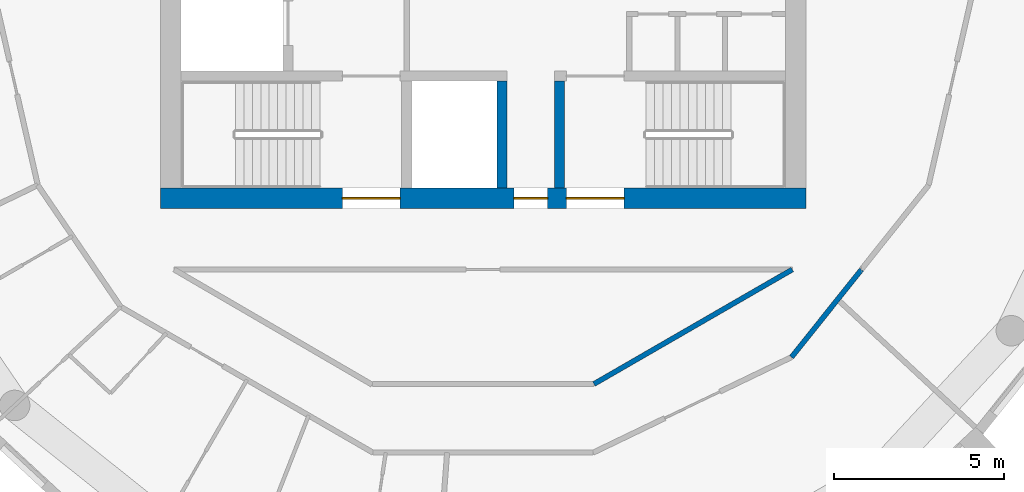
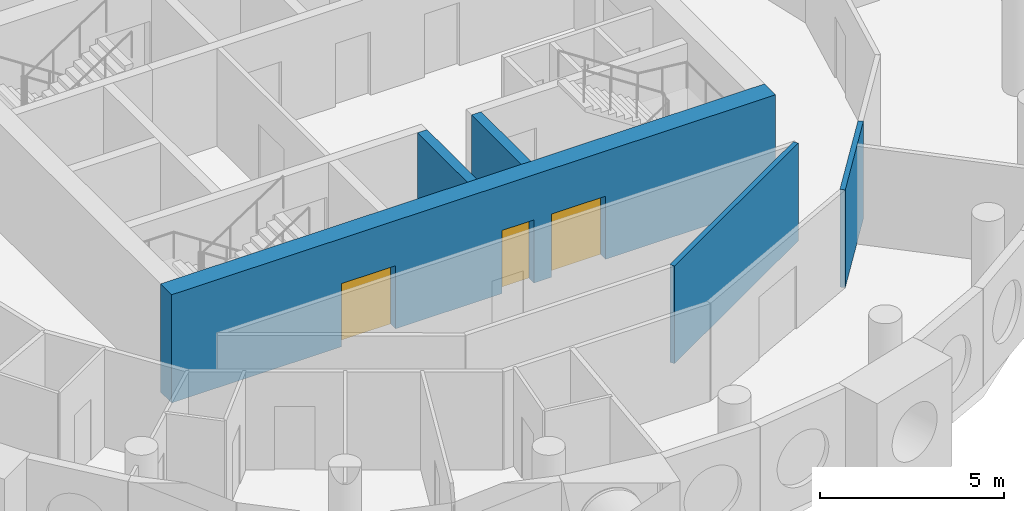
# One storey, part 3 of 12: 5 walls, 3 doors, 3 openings.
"""IFC4 building model written with IfcOpenShell, lengths in metres."""

from ifc_helpers import new_model, si_unit, direction, frame, frame_2d, origin, place, context, subcontext, project, spatial, rectangle, extrude, material, layer, layer_set, type_object, element, fill, save


model = new_model("IFC4")

# Units and contexts
model_context = context("Model", 3, precision=1e-05, world=origin(), true_north=direction((0.0, 1.0)))
body_context = subcontext(model_context, "Body", "Model", "MODEL_VIEW")
ifc_project = project(units=[si_unit("LENGTHUNIT", "METRE"), si_unit("AREAUNIT", "SQUARE_METRE"), si_unit("VOLUMEUNIT", "CUBIC_METRE"), si_unit("PLANEANGLEUNIT", "RADIAN"), si_unit("MASSUNIT", "GRAM", prefix="KILO")], contexts=[model_context])

# Site, building, storey
site_placement = place(None, origin())
site = spatial("IfcSite", under=ifc_project, at=site_placement, CompositionType="ELEMENT")
building_placement = place(site_placement, origin())
building = spatial("IfcBuilding", under=site, at=building_placement, Name="Tracery Tower", CompositionType="ELEMENT")
storey_placement = place(building_placement, frame((0.0, 0.0, 323.39990234375)))
storey = spatial("IfcBuildingStorey", under=building, at=storey_placement, Name="L84", CompositionType="ELEMENT", Elevation=323.39990234375)

# Wall, openings, doors
ifc_material_1 = material(Name="Concrete C40/50", Category="concrete")
ifc_layer_1 = layer(ifc_material_1, 0.60009765625)
ifc_layer_set_1 = layer_set([ifc_layer_1], Name="Core wall 600 C40")
wall_type_1 = type_object("IfcWallType", Name="Core wall 600 C40", PredefinedType="SOLIDWALL", material=ifc_layer_set_1)
wall_1_placement = place(storey_placement, frame((-9.5, -6.699951171875, 0.0), z_axis=(0.0, 0.0, 1.0), x_axis=(1.0, 0.0, 0.0)))
wall_1 = element("IfcWall", 1, at=wall_1_placement, inside=storey, type_object=wall_type_1, Name="L84 outer S", PredefinedType="SOLIDWALL", context=body_context, shape_type="SweptSolid", body=[
    extrude(rectangle(XDim=19.0, YDim=0.60009765625, at=frame_2d((9.5, 0.0))), origin(), (0.0, 0.0, 1.0), 3.60009765625),
])
opening_1_placement = place(wall_1_placement, frame((10.39990234375, 0.0, 0.0)))
opening_1 = element("IfcOpeningElement", 2, at=opening_1_placement, cuts=wall_1, Name="Opening KD16", PredefinedType="OPENING", context=body_context, shape_type="SweptSolid", body=[
    extrude(rectangle(XDim=1.0, YDim=2.10009765625, at=frame_2d((0.5, 1.050048828125))), frame((0.0, 0.300048828125, 0.0), z_axis=(0.0, -1.0, 0.0), x_axis=(1.0, 0.0, 0.0)), (0.0, 0.0, 1.0), 0.60009765625),
])
opening_2_placement = place(wall_1_placement, frame((5.35009765625, 0.0, 0.0)))
opening_2 = element("IfcOpeningElement", 3, at=opening_2_placement, cuts=wall_1, Name="Opening KD3", PredefinedType="OPENING", context=body_context, shape_type="SweptSolid", body=[
    extrude(rectangle(XDim=1.699951171875, YDim=2.10009765625, at=frame_2d((0.85009765625, 1.050048828125))), frame((0.0, 0.300048828125, 0.0), z_axis=(0.0, -1.0, 0.0), x_axis=(1.0, 0.0, 0.0)), (0.0, 0.0, 1.0), 0.60009765625),
])
opening_3_placement = place(wall_1_placement, frame((11.949951171875, 0.0, 0.0)))
opening_3 = element("IfcOpeningElement", 4, at=opening_3_placement, cuts=wall_1, Name="Opening KD3", PredefinedType="OPENING", context=body_context, shape_type="SweptSolid", body=[
    extrude(rectangle(XDim=1.699951171875, YDim=2.10009765625, at=frame_2d((0.85009765625, 1.050048828125))), frame((0.0, 0.300048828125, 0.0), z_axis=(0.0, -1.0, 0.0), x_axis=(1.0, 0.0, 0.0)), (0.0, 0.0, 1.0), 0.60009765625),
])
ifc_material_2 = material(Name="Steel fire door", Category="steel")
door_type_1 = type_object("IfcDoorType", Name="Core exit door 1000", OperationType="NOTDEFINED", PredefinedType="DOOR", material=ifc_material_2)
door_1_placement = place(opening_1_placement, origin())
door_1 = element("IfcDoor", 5, at=door_1_placement, inside=storey, type_object=door_type_1, Name="Core exit door", OperationType="SINGLE_SWING_LEFT", OverallHeight=2.10009765625, OverallWidth=1.0, PredefinedType="DOOR", context=body_context, shape_type="SweptSolid", body=[
    extrude(rectangle(XDim=1.0, YDim=2.10009765625, at=frame_2d((0.5, 1.050048828125))), frame((0.0, 0.02490234375, 0.0), z_axis=(0.0, -1.0, 0.0), x_axis=(1.0, 0.0, 0.0)), (0.0, 0.0, 1.0), 0.050048828125),
])
fill(opening_1, door_1)
ifc_material_3 = material(Name="Steel fire door", Category="steel")
door_type_2 = type_object("IfcDoorType", Name="Core stair door 1700 double", OperationType="NOTDEFINED", PredefinedType="DOOR", material=ifc_material_3)
door_2_placement = place(opening_2_placement, origin())
door_2 = element("IfcDoor", 6, at=door_2_placement, inside=storey, type_object=door_type_2, Name="Stair door ST1 exit", OperationType="DOUBLE_DOOR_SINGLE_SWING", OverallHeight=2.10009765625, OverallWidth=1.699951171875, PredefinedType="DOOR", context=body_context, shape_type="SweptSolid", body=[
    extrude(rectangle(XDim=1.699951171875, YDim=2.10009765625, at=frame_2d((0.85009765625, 1.050048828125))), frame((0.0, 0.02490234375, 0.0), z_axis=(0.0, -1.0, 0.0), x_axis=(1.0, 0.0, 0.0)), (0.0, 0.0, 1.0), 0.050048828125),
])
fill(opening_2, door_2)
door_3_placement = place(opening_3_placement, origin())
door_3 = element("IfcDoor", 7, at=door_3_placement, inside=storey, type_object=door_type_2, Name="Stair door ST2 exit", OperationType="DOUBLE_DOOR_SINGLE_SWING", OverallHeight=2.10009765625, OverallWidth=1.699951171875, PredefinedType="DOOR", context=body_context, shape_type="SweptSolid", body=[
    extrude(rectangle(XDim=1.699951171875, YDim=2.10009765625, at=frame_2d((0.85009765625, 1.050048828125))), frame((0.0, 0.02490234375, 0.0), z_axis=(0.0, -1.0, 0.0), x_axis=(1.0, 0.0, 0.0)), (0.0, 0.0, 1.0), 0.050048828125),
])
fill(opening_3, door_3)

# Walls
ifc_material_4 = material(Name="Plasterboard on steel studs", Category="steel")
ifc_layer_2 = layer(ifc_material_4, 0.14990234375)
ifc_layer_set_2 = layer_set([ifc_layer_2], Name="Partition 150 corridor wall")
wall_type_2 = type_object("IfcWallType", Name="Partition 150 corridor wall", PredefinedType="PARTITIONING", material=ifc_layer_set_2)
wall_2_placement = place(storey_placement, frame((9.07763671875, -11.38232421875, 0.0), z_axis=(0.0, 0.0, 1.0), x_axis=(0.624018330412, 0.781409702595, 0.0)))
element("IfcWall", 8, at=wall_2_placement, inside=storey, type_object=wall_type_2, Name="Corridor wall RC10-013", PredefinedType="PARTITIONING", context=body_context, shape_type="SweptSolid", body=[
    extrude(rectangle(XDim=3.30078125, YDim=0.14990234375, at=frame_2d((1.650390625, 0.0))), origin(), (0.0, 0.0, 1.0), 3.25),
])
wall_3_placement = place(storey_placement, frame((3.260986328125, -12.1708984375, 0.0), z_axis=(0.0, 0.0, 1.0), x_axis=(0.866066809554, 0.499928276245, 0.0)))
element("IfcWall", 9, at=wall_3_placement, inside=storey, type_object=wall_type_2, Name="Corridor wall RC10-036", PredefinedType="PARTITIONING", context=body_context, shape_type="SweptSolid", body=[
    extrude(rectangle(XDim=6.74267578125, YDim=0.14990234375, at=frame_2d((3.371337890625, 0.0))), origin(), (0.0, 0.0, 1.0), 3.25),
])
ifc_material_5 = material(Name="Concrete C40/50", Category="concrete")
ifc_layer_3 = layer(ifc_material_5, 0.300048828125)
ifc_layer_set_3 = layer_set([ifc_layer_3], Name="Shaft wall 300 C40")
wall_type_3 = type_object("IfcWallType", Name="Shaft wall 300 C40", PredefinedType="SOLIDWALL", material=ifc_layer_set_3)
wall_4_placement = place(storey_placement, frame((0.550048828125, -6.39990234375, 0.0), z_axis=(0.0, 0.0, 1.0), x_axis=(0.0, 1.0, 0.0)))
element("IfcWall", 10, at=wall_4_placement, inside=storey, type_object=wall_type_3, Name="L84 OB2 E", PredefinedType="SOLIDWALL", context=body_context, shape_type="SweptSolid", body=[
    extrude(rectangle(XDim=3.14990234375, YDim=0.300048828125, at=frame_2d((1.574951171875, 0.0))), origin(), (0.0, 0.0, 1.0), 3.25),
])
ifc_material_6 = material(Name="Concrete C40/50", Category="concrete")
ifc_layer_4 = layer(ifc_material_6, 0.300048828125)
ifc_layer_set_4 = layer_set([ifc_layer_4], Name="Stair wall 300 C40")
wall_type_4 = type_object("IfcWallType", Name="Stair wall 300 C40", PredefinedType="SOLIDWALL", material=ifc_layer_set_4)
wall_5_placement = place(storey_placement, frame((2.25, -6.39990234375, 0.0), z_axis=(0.0, 0.0, 1.0), x_axis=(0.0, 1.0, 0.0)))
element("IfcWall", 11, at=wall_5_placement, inside=storey, type_object=wall_type_4, Name="L84 ST2 W", PredefinedType="SOLIDWALL", context=body_context, shape_type="SweptSolid", body=[
    extrude(rectangle(XDim=3.14990234375, YDim=0.300048828125, at=frame_2d((1.574951171875, 0.0))), origin(), (0.0, 0.0, 1.0), 3.25),
])

save(model, "model.ifc")
